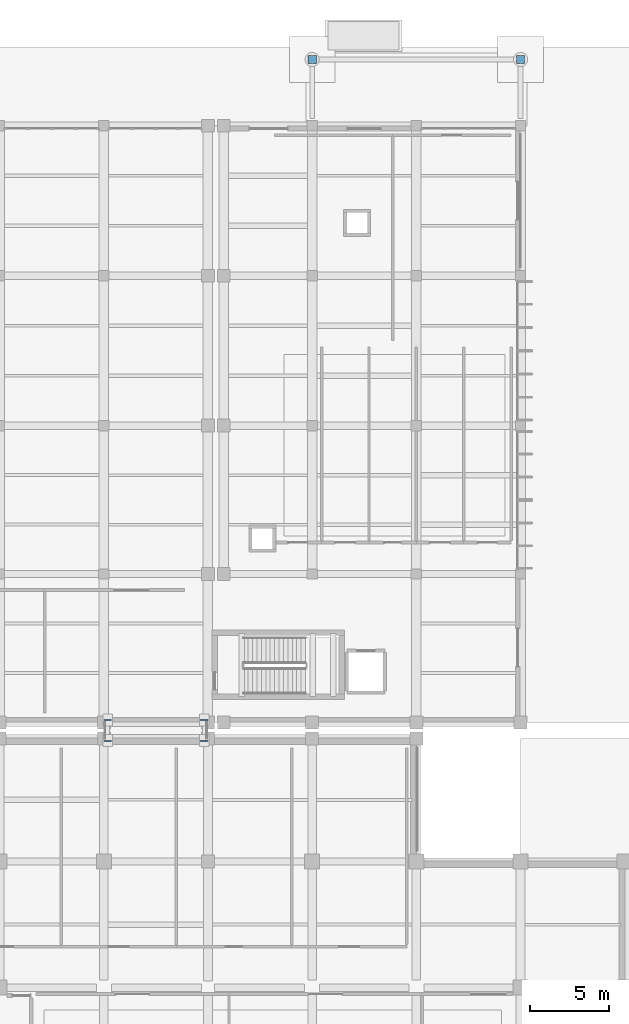
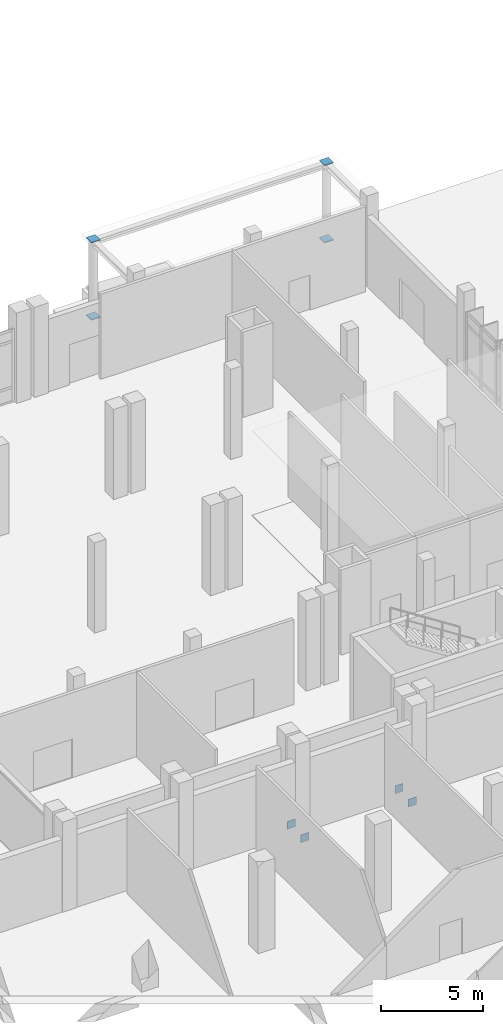
# One storey, part 67 of 79: 8 discrete accessories.
"""IFC4 building model written with IfcOpenShell, lengths in metres."""

from ifc_helpers import new_model, si_unit, direction, frame, origin, origin_2d, place, context, subcontext, project, spatial, rectangle, extrude, material, material_profile, profile_set, type_object, element, save


model = new_model("IFC4")

# Units and contexts
model_context = context("Model", 3, precision=1e-05, world=origin(), true_north=direction((0.0, 1.0)))
body_context = subcontext(model_context, "Body", "Model", "MODEL_VIEW")
ifc_project = project(units=[si_unit("LENGTHUNIT", "METRE"), si_unit("AREAUNIT", "SQUARE_METRE"), si_unit("VOLUMEUNIT", "CUBIC_METRE"), si_unit("PLANEANGLEUNIT", "RADIAN"), si_unit("MASSUNIT", "GRAM", prefix="KILO")], contexts=[model_context])

# Site, building, storey
site_placement = place(None, origin())
site = spatial("IfcSite", under=ifc_project, at=site_placement, CompositionType="ELEMENT")
building_placement = place(site_placement, origin())
building = spatial("IfcBuilding", under=site, at=building_placement, Name="Kelarvand Opera House", CompositionType="ELEMENT")
storey_placement = place(building_placement, origin())
storey = spatial("IfcBuildingStorey", under=building, at=storey_placement, Name="L00", CompositionType="ELEMENT", Elevation=0.0)

# Discrete accessories
ifc_material = material(Name="Steel S355", Category="steel")
ifc_material_profile_1 = material_profile(ifc_material, rectangle(XDim=0.4599609375, YDim=0.4599609375, at=origin_2d()), Name="Welded Steel Hollow End-Cap Plate 460x460x24", Category="steel")
ifc_profile_set_1 = profile_set([ifc_material_profile_1], Name="Steel S355")
discrete_accessory_type_1 = type_object("IfcDiscreteAccessoryType", Name="Welded Steel Hollow End-Cap Plate 460x460x24", PredefinedType="SHOE", material=ifc_profile_set_1)
discrete_accessory_1_placement = place(storey_placement, frame((109.050048828125, 86.05810546875, -0.52001953125), z_axis=(0.0, -1.0, 0.0), x_axis=(1.0, 0.0, 0.0)))
element("IfcDiscreteAccessory", 1, at=discrete_accessory_1_placement, inside=storey, type_object=discrete_accessory_type_1, Name="Hollow Section Welded End Cap 105", PredefinedType="SHOE", context=body_context, shape_type="SweptSolid", body=[
    extrude(rectangle(XDim=0.4599609375, YDim=0.4599609375, at=origin_2d()), origin(), (0.0, 0.0, 1.0), 0.0361328125),
])
discrete_accessory_2_placement = place(storey_placement, frame((109.050048828125, 87.342041015625, -0.52001953125), z_axis=(0.0, 1.0, 0.0), x_axis=(-1.0, 0.0, 0.0)))
element("IfcDiscreteAccessory", 2, at=discrete_accessory_2_placement, inside=storey, type_object=discrete_accessory_type_1, Name="Hollow Section Welded End Cap 106", PredefinedType="SHOE", context=body_context, shape_type="SweptSolid", body=[
    extrude(rectangle(XDim=0.4599609375, YDim=0.4599609375, at=origin_2d()), origin(), (0.0, 0.0, 1.0), 0.035888671875),
])
discrete_accessory_3_placement = place(storey_placement, frame((115.14990234375, 86.05810546875, -0.52001953125), z_axis=(0.0, -1.0, 0.0), x_axis=(1.0, 0.0, 0.0)))
element("IfcDiscreteAccessory", 3, at=discrete_accessory_3_placement, inside=storey, type_object=discrete_accessory_type_1, Name="Hollow Section Welded End Cap 107", PredefinedType="SHOE", context=body_context, shape_type="SweptSolid", body=[
    extrude(rectangle(XDim=0.4599609375, YDim=0.4599609375, at=origin_2d()), origin(), (0.0, 0.0, 1.0), 0.0361328125),
])
discrete_accessory_4_placement = place(storey_placement, frame((115.14990234375, 87.342041015625, -0.52001953125), z_axis=(0.0, 1.0, 0.0), x_axis=(-1.0, 0.0, 0.0)))
element("IfcDiscreteAccessory", 4, at=discrete_accessory_4_placement, inside=storey, type_object=discrete_accessory_type_1, Name="Hollow Section Welded End Cap 108", PredefinedType="SHOE", context=body_context, shape_type="SweptSolid", body=[
    extrude(rectangle(XDim=0.4599609375, YDim=0.4599609375, at=origin_2d()), origin(), (0.0, 0.0, 1.0), 0.035888671875),
])
ifc_material_profile_2 = material_profile(ifc_material, rectangle(XDim=0.51708984375, YDim=0.51708984375, at=origin_2d()), Name="Welded Steel Hollow End-Cap Plate 517x517x24", Category="steel")
ifc_profile_set_2 = profile_set([ifc_material_profile_2], Name="Steel S355")
discrete_accessory_type_2 = type_object("IfcDiscreteAccessoryType", Name="Welded Steel Hollow End-Cap Plate 517x517x24", PredefinedType="SHOE", material=ifc_profile_set_2)
discrete_accessory_5_placement = place(storey_placement, frame((122.0, 129.199951171875, 0.008056640625), z_axis=(0.0, 0.0, -1.0), x_axis=(1.0, 0.0, 0.0)))
element("IfcDiscreteAccessory", 5, at=discrete_accessory_5_placement, inside=storey, type_object=discrete_accessory_type_2, Name="Hollow Section Welded End Cap 1", PredefinedType="SHOE", context=body_context, shape_type="SweptSolid", body=[
    extrude(rectangle(XDim=0.51708984375, YDim=0.51708984375, at=origin_2d()), origin(), (0.0, 0.0, 1.0), 0.0361328125),
])
discrete_accessory_6_placement = place(storey_placement, frame((122.0, 129.199951171875, 4.592041015625), z_axis=(0.0, 0.0, 1.0), x_axis=(1.0, 0.0, 0.0)))
element("IfcDiscreteAccessory", 6, at=discrete_accessory_6_placement, inside=storey, type_object=discrete_accessory_type_2, Name="Hollow Section Welded End Cap 2", PredefinedType="SHOE", context=body_context, shape_type="SweptSolid", body=[
    extrude(rectangle(XDim=0.51708984375, YDim=0.51708984375, at=origin_2d()), origin(), (0.0, 0.0, 1.0), 0.035888671875),
])
discrete_accessory_7_placement = place(storey_placement, frame((135.199951171875, 129.199951171875, 0.008056640625), z_axis=(0.0, 0.0, -1.0), x_axis=(1.0, 0.0, 0.0)))
element("IfcDiscreteAccessory", 7, at=discrete_accessory_7_placement, inside=storey, type_object=discrete_accessory_type_2, Name="Hollow Section Welded End Cap 3", PredefinedType="SHOE", context=body_context, shape_type="SweptSolid", body=[
    extrude(rectangle(XDim=0.51708984375, YDim=0.51708984375, at=origin_2d()), origin(), (0.0, 0.0, 1.0), 0.0361328125),
])
discrete_accessory_8_placement = place(storey_placement, frame((135.199951171875, 129.199951171875, 4.592041015625), z_axis=(0.0, 0.0, 1.0), x_axis=(1.0, 0.0, 0.0)))
element("IfcDiscreteAccessory", 8, at=discrete_accessory_8_placement, inside=storey, type_object=discrete_accessory_type_2, Name="Hollow Section Welded End Cap 4", PredefinedType="SHOE", context=body_context, shape_type="SweptSolid", body=[
    extrude(rectangle(XDim=0.51708984375, YDim=0.51708984375, at=origin_2d()), origin(), (0.0, 0.0, 1.0), 0.035888671875),
])

save(model, "model.ifc")
